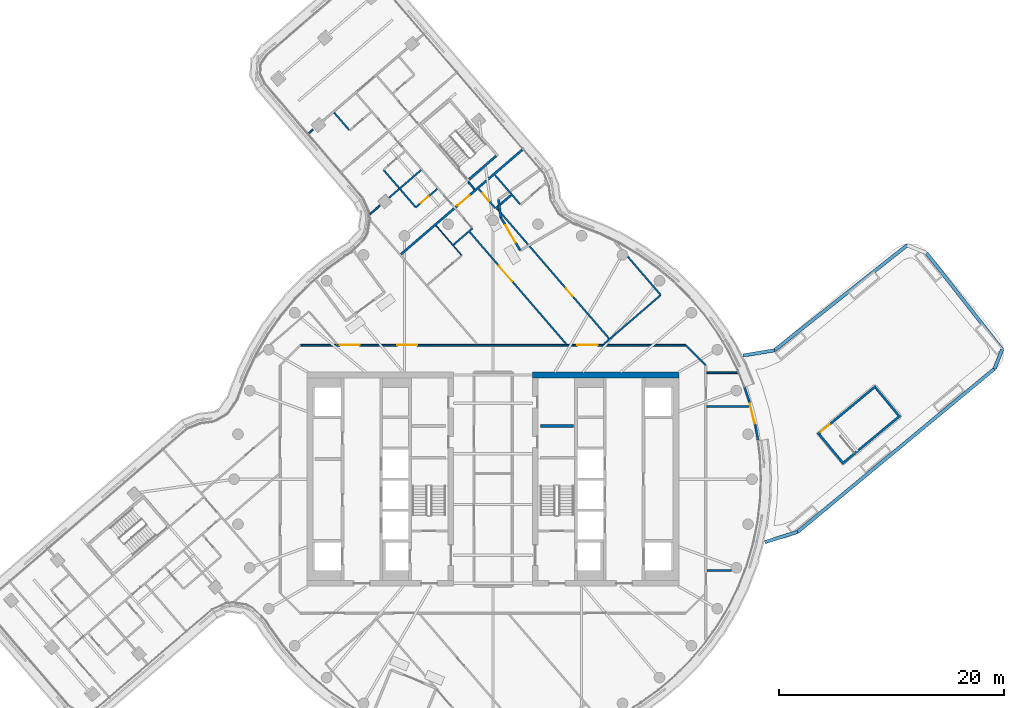
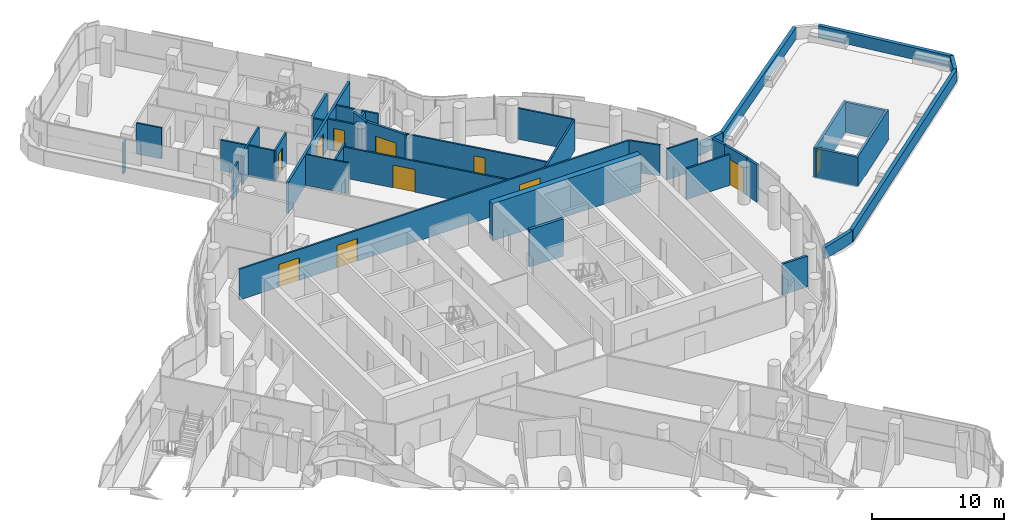
# One storey, part 25 of 34: 38 walls, 11 doors, 11 openings.
"""IFC4 building model written with IfcOpenShell, lengths in metres."""

from ifc_helpers import new_model, si_unit, direction, frame, frame_2d, origin, place, context, subcontext, project, spatial, polyline, rectangle, outline, extrude, material, layer, layer_set, type_object, element, fill, save


model = new_model("IFC4")

# Units and contexts
model_context = context("Model", 3, precision=1e-05, world=origin(), true_north=direction((0.0, 1.0)))
body_context = subcontext(model_context, "Body", "Model", "MODEL_VIEW")
ifc_project = project(units=[si_unit("LENGTHUNIT", "METRE"), si_unit("AREAUNIT", "SQUARE_METRE"), si_unit("VOLUMEUNIT", "CUBIC_METRE"), si_unit("PLANEANGLEUNIT", "RADIAN"), si_unit("MASSUNIT", "GRAM", prefix="KILO")], contexts=[model_context])

# Site, building, storey
site_placement = place(None, origin())
site = spatial("IfcSite", under=ifc_project, at=site_placement, CompositionType="ELEMENT")
building_placement = place(site_placement, origin())
building = spatial("IfcBuilding", under=site, at=building_placement, Name="Tamarind Cross Interchange Tower", CompositionType="ELEMENT")
storey_placement = place(building_placement, frame((0.0, 0.0, 182.5)))
storey = spatial("IfcBuildingStorey", under=building, at=storey_placement, Name="L45", CompositionType="ELEMENT", Elevation=182.5)

# Walls
ifc_material_1 = material(Name="Concrete C40", Category="concrete")
ifc_layer_1 = layer(ifc_material_1, 0.199951171875)
ifc_layer_set_1 = layer_set([ifc_layer_1], Name="Concrete C40")
wall_type_1 = type_object("IfcWallType", Name="Balcony and garden door wall", PredefinedType="SOLIDWALL", material=ifc_layer_set_1)
wall_1_placement = place(storey_placement, frame((23.531005859375, 3.421630859375, 0.0), z_axis=(0.0, 0.0, 1.0), x_axis=(-0.170545064633, 0.985349877419, 0.0)))
element("IfcWall", 1, at=wall_1_placement, inside=storey, type_object=wall_type_1, Name="EXW-L45-10-D07L", PredefinedType="SOLIDWALL", context=body_context, shape_type="SweptSolid", body=[
    extrude(rectangle(XDim=1.25537109375, YDim=0.199951171875, at=frame_2d((0.627685546875, 0.0))), origin(), (0.0, 0.0, 1.0), 3.4599609375),
])
wall_2_placement = place(storey_placement, frame((22.72705078125, 6.983154296875, 0.0), z_axis=(0.0, 0.0, 1.0), x_axis=(-0.313251199711, 0.949670303779, 0.0)))
element("IfcWall", 2, at=wall_2_placement, inside=storey, type_object=wall_type_1, Name="EXW-L45-10-D07R", PredefinedType="SOLIDWALL", context=body_context, shape_type="SweptSolid", body=[
    extrude(rectangle(XDim=1.255615234375, YDim=0.199951171875, at=frame_2d((0.6279296875, 0.0))), origin(), (0.0, 0.0, 1.0), 3.4599609375),
])

# Wall, opening, door
wall_3_placement = place(storey_placement, frame((23.31689453125, 4.65869140625, 0.0), z_axis=(0.0, 0.0, 1.0), x_axis=(-0.245959533272, 0.969280097801, 0.0)))
wall_3 = element("IfcWall", 3, at=wall_3_placement, inside=storey, type_object=wall_type_1, Name="EXW-L45-10-D07", PredefinedType="SOLIDWALL", context=body_context, shape_type="SweptSolid", body=[
    extrude(rectangle(XDim=2.398193359375, YDim=0.199951171875, at=frame_2d((1.19921875, 0.0))), origin(), (0.0, 0.0, 1.0), 3.4599609375),
])
opening_1_placement = place(wall_3_placement, frame((0.299072265625, 0.0, 0.0)))
opening_1 = element("IfcOpeningElement", 4, at=opening_1_placement, cuts=wall_3, Name="Opening D5", PredefinedType="OPENING", context=body_context, shape_type="SweptSolid", body=[
    extrude(rectangle(XDim=1.800048828125, YDim=2.39990234375, at=frame_2d((0.89990234375, 1.199951171875))), frame((0.0, 0.10986328125, 0.0), z_axis=(0.0, -1.0, 0.0), x_axis=(1.0, 0.0, 0.0)), (0.0, 0.0, 1.0), 0.219970703125),
])
ifc_material_2 = material(Name="Aluminium and toughened glass", Category="aluminium")
door_type_1 = type_object("IfcDoorType", Name="Roof garden door", OperationType="DOUBLE_DOOR_SINGLE_SWING", PredefinedType="DOOR", material=ifc_material_2)
door_1_placement = place(opening_1_placement, origin())
door_1 = element("IfcDoor", 5, at=door_1_placement, inside=storey, type_object=door_type_1, Name="DOR-L45-10-07", OperationType="SINGLE_SWING_LEFT", OverallHeight=2.39990234375, OverallWidth=1.800048828125, PredefinedType="DOOR", context=body_context, shape_type="SweptSolid", body=[
    extrude(rectangle(XDim=1.800048828125, YDim=2.39990234375, at=frame_2d((0.89990234375, 1.199951171875))), frame((0.0, 0.02490234375, 0.0), z_axis=(0.0, -1.0, 0.0), x_axis=(1.0, 0.0, 0.0)), (0.0, 0.0, 1.0), 0.050048828125),
])
fill(opening_1, door_1)

wall_4_placement = place(storey_placement, frame((2.411376953125, 20.311279296875, 0.0), z_axis=(0.0, 0.0, 1.0), x_axis=(-0.504400373358, 0.863469897192, 0.0)))
wall_4 = element("IfcWall", 6, at=wall_4_placement, inside=storey, type_object=wall_type_1, Name="EXW-L45-WG-L45-SNb", PredefinedType="SOLIDWALL", context=body_context, shape_type="SweptSolid", body=[
    extrude(rectangle(XDim=3.411865234375, YDim=0.199951171875, at=frame_2d((1.7060546875, 0.0))), origin(), (0.0, 0.0, 1.0), 3.4599609375),
])
opening_2_placement = place(wall_4_placement, frame((0.805908203125, 0.0, 0.0)))
opening_2 = element("IfcOpeningElement", 7, at=opening_2_placement, cuts=wall_4, Name="Opening D5", PredefinedType="OPENING", context=body_context, shape_type="SweptSolid", body=[
    extrude(rectangle(XDim=1.800048828125, YDim=2.39990234375, at=frame_2d((0.89990234375, 1.199951171875))), frame((0.0, 0.10986328125, 0.0), z_axis=(0.0, -1.0, 0.0), x_axis=(1.0, 0.0, 0.0)), (0.0, 0.0, 1.0), 0.219970703125),
])
door_2_placement = place(opening_2_placement, origin())
door_2 = element("IfcDoor", 8, at=door_2_placement, inside=storey, type_object=door_type_1, Name="DOR-L45-WG-L45-SNb", OperationType="SINGLE_SWING_LEFT", OverallHeight=2.39990234375, OverallWidth=1.800048828125, PredefinedType="DOOR", context=body_context, shape_type="SweptSolid", body=[
    extrude(rectangle(XDim=1.800048828125, YDim=2.39990234375, at=frame_2d((0.89990234375, 1.199951171875))), frame((0.0, 0.02490234375, 0.0), z_axis=(0.0, -1.0, 0.0), x_axis=(1.0, 0.0, 0.0)), (0.0, 0.0, 1.0), 0.050048828125),
])
fill(opening_2, door_2)

# Walls
wall_5_placement = place(storey_placement, frame((0.6904296875, 23.257080078125, 0.0), z_axis=(0.0, 0.0, 1.0), x_axis=(-0.130395335876, 0.991462080153, 0.0)))
element("IfcWall", 9, at=wall_5_placement, inside=storey, type_object=wall_type_1, Name="EXW-L45-WG-L45-SNb-R1", PredefinedType="SOLIDWALL", context=body_context, shape_type="SweptSolid", body=[
    extrude(rectangle(XDim=1.600830078125, YDim=0.199951171875, at=frame_2d((0.80029296875, 0.0))), origin(), (0.0, 0.0, 1.0), 3.4599609375),
])
ifc_material_3 = material(Name="Concrete C55", Category="concrete")
ifc_layer_2 = layer(ifc_material_3, 0.5)
ifc_layer_set_2 = layer_set([ifc_layer_2], Name="Concrete C55")
wall_type_2 = type_object("IfcWallType", Name="Core wall 500 mm Concrete C55", PredefinedType="SHEAR", material=ifc_layer_set_2)
wall_6_placement = place(storey_placement, frame((16.5, 9.25, 0.0), z_axis=(0.0, 0.0, 1.0), x_axis=(-1.0, 0.0, 0.0)))
element("IfcWall", 10, at=wall_6_placement, inside=storey, type_object=wall_type_2, Name="Core wall CWL-L45-E-NE", PredefinedType="SHEAR", context=body_context, shape_type="SweptSolid", body=[
    extrude(rectangle(XDim=13.0, YDim=0.5, at=frame_2d((6.5, 0.0))), origin(), (0.0, 0.0, 1.0), 3.4599609375),
])
ifc_layer_3 = layer(ifc_material_1, 0.300048828125)
ifc_layer_set_3 = layer_set([ifc_layer_3], Name="Concrete C40")
wall_type_3 = type_object("IfcWallType", Name="Parapet upstand", PredefinedType="PARAPET", material=ifc_layer_set_3)
wall_7_placement = place(storey_placement, frame((24.137451171875, -5.58837890625, 0.0), z_axis=(0.0, 0.0, 1.0), x_axis=(0.954888189123, 0.29696556412, 0.0)))
element("IfcWall", 11, at=wall_7_placement, inside=storey, type_object=wall_type_3, Name="EXW-L45-PRTE0-00", PredefinedType="PARAPET", context=body_context, shape_type="SweptSolid", body=[
    extrude(rectangle(XDim=3.036865234375, YDim=0.300048828125, at=frame_2d((1.5185546875, 0.0))), origin(), (0.0, 0.0, 1.0), 1.10009765625),
])
wall_8_placement = place(storey_placement, frame((27.037353515625, -4.6865234375, 0.0), z_axis=(0.0, 0.0, 1.0), x_axis=(0.770117991644, 0.637901464919, 0.0)))
element("IfcWall", 12, at=wall_8_placement, inside=storey, type_object=wall_type_3, Name="EXW-L45-PRTE0-01", PredefinedType="PARAPET", context=body_context, shape_type="SweptSolid", body=[
    extrude(rectangle(XDim=22.706787109375, YDim=0.300048828125, at=frame_2d((11.353515625, 0.0))), origin(), (0.0, 0.0, 1.0), 1.10009765625),
])
wall_9_placement = place(storey_placement, frame((44.524169921875, 9.798095703125, 0.0), z_axis=(0.0, 0.0, 1.0), x_axis=(0.373667686539, 0.927562644804, 0.0)))
element("IfcWall", 13, at=wall_9_placement, inside=storey, type_object=wall_type_3, Name="EXW-L45-PRTE0-02", PredefinedType="PARAPET", context=body_context, shape_type="SweptSolid", body=[
    extrude(rectangle(XDim=1.84765625, YDim=0.300048828125, at=frame_2d((0.923828125, 0.0))), origin(), (0.0, 0.0, 1.0), 1.10009765625),
])
wall_10_placement = place(storey_placement, frame((45.214599609375, 11.511962890625, 0.0), z_axis=(0.0, 0.0, 1.0), x_axis=(-0.616916554823, 0.787028566435, 0.0)))
element("IfcWall", 14, at=wall_10_placement, inside=storey, type_object=wall_type_3, Name="EXW-L45-PRTE0-03", PredefinedType="PARAPET", context=body_context, shape_type="SweptSolid", body=[
    extrude(rectangle(XDim=10.89453125, YDim=0.300048828125, at=frame_2d((5.447265625, 0.0))), origin(), (0.0, 0.0, 1.0), 1.10009765625),
])
wall_11_placement = place(storey_placement, frame((36.77978515625, 20.776611328125, 0.0), z_axis=(0.0, 0.0, 1.0), x_axis=(-0.783927876093, -0.620851902698, 0.0)))
element("IfcWall", 15, at=wall_11_placement, inside=storey, type_object=wall_type_3, Name="EXW-L45-PRTE0-05", PredefinedType="PARAPET", context=body_context, shape_type="SweptSolid", body=[
    extrude(rectangle(XDim=15.02783203125, YDim=0.300048828125, at=frame_2d((7.513916015625, 0.0))), origin(), (0.0, 0.0, 1.0), 1.10009765625),
])
wall_12_placement = place(storey_placement, frame((24.9990234375, 11.446533203125, 0.0), z_axis=(0.0, 0.0, 1.0), x_axis=(-0.986664892658, -0.162764829111, 0.0)))
element("IfcWall", 16, at=wall_12_placement, inside=storey, type_object=wall_type_3, Name="EXW-L45-PRTE0-06", PredefinedType="PARAPET", context=body_context, shape_type="SweptSolid", body=[
    extrude(rectangle(XDim=2.8349609375, YDim=0.300048828125, at=frame_2d((1.41748046875, 0.0))), origin(), (0.0, 0.0, 1.0), 1.10009765625),
])
ifc_material_4 = material(Name="Gypsum board partition on steel studs", Category="steel")
ifc_layer_4 = layer(ifc_material_4, 0.10009765625)
ifc_layer_set_4 = layer_set([ifc_layer_4], Name="Gypsum board partition on steel studs")
wall_type_4 = type_object("IfcWallType", Name="Partition 100 mm EI 90", PredefinedType="PARTITIONING", material=ifc_layer_set_4)
wall_13_placement = place(storey_placement, frame((-5.066650390625, 22.518310546875, 0.0), z_axis=(0.0, 0.0, 1.0), x_axis=(0.652759016161, -0.757565618821, 0.0)))
element("IfcWall", 17, at=wall_13_placement, inside=storey, type_object=wall_type_4, Name="Partition L45-027", PredefinedType="PARTITIONING", context=body_context, shape_type="SweptSolid", body=[
    extrude(rectangle(XDim=3.449951171875, YDim=0.10009765625, at=frame_2d((1.72509765625, 0.0))), origin(), (0.0, 0.0, 1.0), 2.864013671875),
])
ifc_layer_5 = layer(ifc_material_4, 0.14990234375)
ifc_layer_set_5 = layer_set([ifc_layer_5], Name="Gypsum board partition on steel studs")
wall_type_5 = type_object("IfcWallType", Name="Partition 150 mm EI 120", PredefinedType="PARTITIONING", material=ifc_layer_set_5)
wall_14_placement = place(storey_placement, frame((-14.118896484375, 32.5654296875, 0.0), z_axis=(0.0, 0.0, 1.0), x_axis=(0.652696376995, -0.757619587562, 0.0)))
element("IfcWall", 18, at=wall_14_placement, inside=storey, type_object=wall_type_5, Name="Partition L45-018", PredefinedType="PARTITIONING", context=body_context, shape_type="SweptSolid", body=[
    extrude(rectangle(XDim=2.04541015625, YDim=0.14990234375, at=frame_2d((1.022705078125, 0.0))), origin(), (0.0, 0.0, 1.0), 2.864013671875),
])
wall_15_placement = place(storey_placement, frame((-9.706298828125, 27.443115234375, 0.0), z_axis=(0.0, 0.0, 1.0), x_axis=(0.652665803923, -0.757645925475, 0.0)))
element("IfcWall", 19, at=wall_15_placement, inside=storey, type_object=wall_type_5, Name="Partition L45-019", PredefinedType="PARTITIONING", context=body_context, shape_type="SweptSolid", body=[
    extrude(rectangle(XDim=4.339599609375, YDim=0.14990234375, at=frame_2d((2.169921875, 0.0))), origin(), (0.0, 0.0, 1.0), 2.864013671875),
])
wall_16_placement = place(storey_placement, frame((-2.197998046875, 26.3896484375, 0.0), z_axis=(0.0, 0.0, 1.0), x_axis=(0.652726981175, -0.757593220697, 0.0)))
element("IfcWall", 20, at=wall_16_placement, inside=storey, type_object=wall_type_5, Name="Partition L45-023", PredefinedType="PARTITIONING", context=body_context, shape_type="SweptSolid", body=[
    extrude(rectangle(XDim=0.84033203125, YDim=0.14990234375, at=frame_2d((0.420166015625, 0.0))), origin(), (0.0, 0.0, 1.0), 2.864013671875),
])

# Wall, opening, door
wall_17_placement = place(storey_placement, frame((-2.07373046875, 21.955322265625, 0.0), z_axis=(0.0, 0.0, 1.0), x_axis=(0.652736603542, -0.757584930154, 0.0)))
wall_17 = element("IfcWall", 21, at=wall_17_placement, inside=storey, type_object=wall_type_5, Name="Partition L45-028", PredefinedType="PARTITIONING", context=body_context, shape_type="SweptSolid", body=[
    extrude(rectangle(XDim=13.1328125, YDim=0.14990234375, at=frame_2d((6.56640625, 0.0))), origin(), (0.0, 0.0, 1.0), 2.864013671875),
])
opening_3_placement = place(wall_17_placement, frame((3.969970703125, 0.0, 0.0)))
opening_3 = element("IfcOpeningElement", 22, at=opening_3_placement, cuts=wall_17, Name="Opening D16", PredefinedType="OPENING", context=body_context, shape_type="SweptSolid", body=[
    extrude(rectangle(XDim=1.800048828125, YDim=2.10009765625, at=frame_2d((0.89990234375, 1.050048828125))), frame((0.0, 0.0849609375, 0.0), z_axis=(0.0, -1.0, 0.0), x_axis=(1.0, 0.0, 0.0)), (0.0, 0.0, 1.0), 0.169921875),
])
ifc_material_5 = material(Name="Fire-resisting door set")
door_type_2 = type_object("IfcDoorType", Name="Interior door 1800 x 2100 FD60S", OperationType="DOUBLE_DOOR_SINGLE_SWING", PredefinedType="DOOR", material=ifc_material_5)
door_3_placement = place(opening_3_placement, frame((1.800048828125, 0.0, 0.0), z_axis=(0.0, 0.0, 1.0), x_axis=(-1.0, 0.0, 0.0)))
door_3 = element("IfcDoor", 23, at=door_3_placement, inside=storey, type_object=door_type_2, Name="Door D16", OperationType="DOUBLE_DOOR_SINGLE_SWING", OverallHeight=2.10009765625, OverallWidth=1.800048828125, PredefinedType="DOOR", context=body_context, shape_type="SweptSolid", body=[
    extrude(rectangle(XDim=1.800048828125, YDim=2.10009765625, at=frame_2d((0.89990234375, 1.050048828125))), frame((0.0, 0.02490234375, 0.0), z_axis=(0.0, -1.0, 0.0), x_axis=(1.0, 0.0, 0.0)), (0.0, 0.0, 1.0), 0.050048828125),
])
fill(opening_3, door_3)

wall_18_placement = place(storey_placement, frame((-1.265625, 25.76708984375, 0.0), z_axis=(0.0, 0.0, 1.0), x_axis=(0.652880885414, -0.757460592679, 0.0)))
wall_18 = element("IfcWall", 24, at=wall_18_placement, inside=storey, type_object=wall_type_5, Name="Partition L45-029", PredefinedType="PARTITIONING", context=body_context, shape_type="SweptSolid", body=[
    extrude(rectangle(XDim=2.22021484375, YDim=0.14990234375, at=frame_2d((1.110107421875, 0.0))), origin(), (0.0, 0.0, 1.0), 2.864013671875),
])
opening_4_placement = place(wall_18_placement, frame((0.47998046875, 0.0, 0.0)))
opening_4 = element("IfcOpeningElement", 25, at=opening_4_placement, cuts=wall_18, Name="Opening D17", PredefinedType="OPENING", context=body_context, shape_type="SweptSolid", body=[
    extrude(rectangle(XDim=0.89990234375, YDim=2.10009765625, at=frame_2d((0.449951171875, 1.050048828125))), frame((0.0, 0.0849609375, 0.0), z_axis=(0.0, -1.0, 0.0), x_axis=(1.0, 0.0, 0.0)), (0.0, 0.0, 1.0), 0.169921875),
])
door_type_3 = type_object("IfcDoorType", Name="Interior door 900 x 2100 FD60S", OperationType="SINGLE_SWING_LEFT", PredefinedType="DOOR", material=ifc_material_5)
door_4_placement = place(opening_4_placement, origin())
door_4 = element("IfcDoor", 26, at=door_4_placement, inside=storey, type_object=door_type_3, Name="Door D17", OperationType="SINGLE_SWING_RIGHT", OverallHeight=2.10009765625, OverallWidth=0.89990234375, PredefinedType="DOOR", context=body_context, shape_type="SweptSolid", body=[
    extrude(rectangle(XDim=0.89990234375, YDim=2.10009765625, at=frame_2d((0.449951171875, 1.050048828125))), frame((0.0, 0.02490234375, 0.0), z_axis=(0.0, -1.0, 0.0), x_axis=(1.0, 0.0, 0.0)), (0.0, 0.0, 1.0), 0.050048828125),
])
fill(opening_4, door_4)

# Wall
wall_19_placement = place(storey_placement, frame((0.17333984375, 27.007080078125, 0.0), z_axis=(0.0, 0.0, 1.0), x_axis=(0.652861605441, -0.757477210311, 0.0)))
element("IfcWall", 27, at=wall_19_placement, inside=storey, type_object=wall_type_5, Name="Partition L45-030", PredefinedType="PARTITIONING", context=body_context, shape_type="SweptSolid", body=[
    extrude(rectangle(XDim=3.40478515625, YDim=0.14990234375, at=frame_2d((1.702392578125, 0.0))), origin(), (0.0, 0.0, 1.0), 2.864013671875),
])

# Wall, opening, door
wall_20_placement = place(storey_placement, frame((0.376220703125, 24.01416015625, 0.0), z_axis=(0.0, 0.0, 1.0), x_axis=(0.652727037731, -0.75759317197, 0.0)))
wall_20 = element("IfcWall", 28, at=wall_20_placement, inside=storey, type_object=wall_type_5, Name="Partition L45-031", PredefinedType="PARTITIONING", context=body_context, shape_type="SweptSolid", body=[
    extrude(rectangle(XDim=15.2001953125, YDim=0.14990234375, at=frame_2d((7.60009765625, 0.0))), origin(), (0.0, 0.0, 1.0), 2.864013671875),
])
opening_5_placement = place(wall_20_placement, frame((9.330078125, 0.0, 0.0)))
opening_5 = element("IfcOpeningElement", 29, at=opening_5_placement, cuts=wall_20, Name="Opening D18", PredefinedType="OPENING", context=body_context, shape_type="SweptSolid", body=[
    extrude(rectangle(XDim=0.89990234375, YDim=2.10009765625, at=frame_2d((0.449951171875, 1.050048828125))), frame((0.0, 0.0849609375, 0.0), z_axis=(0.0, -1.0, 0.0), x_axis=(1.0, 0.0, 0.0)), (0.0, 0.0, 1.0), 0.169921875),
])
door_5_placement = place(opening_5_placement, origin())
door_5 = element("IfcDoor", 30, at=door_5_placement, inside=storey, type_object=door_type_3, Name="Door D18", OperationType="SINGLE_SWING_LEFT", OverallHeight=2.10009765625, OverallWidth=0.89990234375, PredefinedType="DOOR", context=body_context, shape_type="SweptSolid", body=[
    extrude(rectangle(XDim=0.89990234375, YDim=2.10009765625, at=frame_2d((0.449951171875, 1.050048828125))), frame((0.0, 0.02490234375, 0.0), z_axis=(0.0, -1.0, 0.0), x_axis=(1.0, 0.0, 0.0)), (0.0, 0.0, 1.0), 0.050048828125),
])
fill(opening_5, door_5)

# Walls
wall_21_placement = place(storey_placement, frame((11.947021484375, 19.777099609375, 0.0), z_axis=(0.0, 0.0, 1.0), x_axis=(0.652683992086, -0.757630257101, 0.0)))
element("IfcWall", 31, at=wall_21_placement, inside=storey, type_object=wall_type_5, Name="Partition L45-039", PredefinedType="PARTITIONING", context=body_context, shape_type="SweptSolid", body=[
    extrude(rectangle(XDim=4.478271484375, YDim=0.14990234375, at=frame_2d((2.2392578125, 0.0))), origin(), (0.0, 0.0, 1.0), 2.864013671875),
])
wall_22_placement = place(storey_placement, frame((17.12841796875, 11.87158203125, 0.0), z_axis=(0.0, 0.0, 1.0), x_axis=(0.707106781187, -0.707106781187, 0.0)))
element("IfcWall", 32, at=wall_22_placement, inside=storey, type_object=wall_type_5, Name="Partition L45-041", PredefinedType="PARTITIONING", context=body_context, shape_type="SweptSolid", body=[
    extrude(rectangle(XDim=2.455078125, YDim=0.14990234375, at=frame_2d((1.2275390625, 0.0))), origin(), (0.0, 0.0, 1.0), 2.864013671875),
])

# Wall, openings, doors
wall_23_placement = place(storey_placement, frame((-17.06494140625, 11.89990234375, 0.0), z_axis=(0.0, 0.0, 1.0), x_axis=(1.0, 0.0, 0.0)))
wall_23 = element("IfcWall", 33, at=wall_23_placement, inside=storey, type_object=wall_type_5, Name="Partition L45-043", PredefinedType="PARTITIONING", context=body_context, shape_type="SweptSolid", body=[
    extrude(rectangle(XDim=34.1650390625, YDim=0.14990234375, at=frame_2d((17.08251953125, 0.0))), origin(), (0.0, 0.0, 1.0), 2.864013671875),
])
opening_6_placement = place(wall_23_placement, frame((24.554931640625, 0.0, 0.0)))
opening_6 = element("IfcOpeningElement", 34, at=opening_6_placement, cuts=wall_23, Name="Opening D26", PredefinedType="OPENING", context=body_context, shape_type="SweptSolid", body=[
    extrude(rectangle(XDim=1.800048828125, YDim=2.10009765625, at=frame_2d((0.89990234375, 1.050048828125))), frame((0.0, 0.0849609375, 0.0), z_axis=(0.0, -1.0, 0.0), x_axis=(1.0, 0.0, 0.0)), (0.0, 0.0, 1.0), 0.169921875),
])
opening_7_placement = place(wall_23_placement, frame((8.5419921875, 0.0, 0.0)))
opening_7 = element("IfcOpeningElement", 35, at=opening_7_placement, cuts=wall_23, Name="Opening D27", PredefinedType="OPENING", context=body_context, shape_type="SweptSolid", body=[
    extrude(rectangle(XDim=1.800048828125, YDim=2.10009765625, at=frame_2d((0.89990234375, 1.050048828125))), frame((0.0, 0.0849609375, 0.0), z_axis=(0.0, -1.0, 0.0), x_axis=(1.0, 0.0, 0.0)), (0.0, 0.0, 1.0), 0.169921875),
])
opening_8_placement = place(wall_23_placement, frame((3.44189453125, 0.0, 0.0)))
opening_8 = element("IfcOpeningElement", 36, at=opening_8_placement, cuts=wall_23, Name="Opening D28", PredefinedType="OPENING", context=body_context, shape_type="SweptSolid", body=[
    extrude(rectangle(XDim=1.800048828125, YDim=2.10009765625, at=frame_2d((0.89990234375, 1.050048828125))), frame((0.0, 0.0849609375, 0.0), z_axis=(0.0, -1.0, 0.0), x_axis=(1.0, 0.0, 0.0)), (0.0, 0.0, 1.0), 0.169921875),
])
door_6_placement = place(opening_6_placement, frame((1.800048828125, 0.0, 0.0), z_axis=(0.0, 0.0, 1.0), x_axis=(-1.0, 0.0, 0.0)))
door_6 = element("IfcDoor", 37, at=door_6_placement, inside=storey, type_object=door_type_2, Name="Door D26", OperationType="DOUBLE_DOOR_SINGLE_SWING", OverallHeight=2.10009765625, OverallWidth=1.800048828125, PredefinedType="DOOR", context=body_context, shape_type="SweptSolid", body=[
    extrude(rectangle(XDim=1.800048828125, YDim=2.10009765625, at=frame_2d((0.89990234375, 1.050048828125))), frame((0.0, 0.02490234375, 0.0), z_axis=(0.0, -1.0, 0.0), x_axis=(1.0, 0.0, 0.0)), (0.0, 0.0, 1.0), 0.050048828125),
])
fill(opening_6, door_6)
door_7_placement = place(opening_7_placement, origin())
door_7 = element("IfcDoor", 38, at=door_7_placement, inside=storey, type_object=door_type_2, Name="Door D27", OperationType="DOUBLE_DOOR_SINGLE_SWING", OverallHeight=2.10009765625, OverallWidth=1.800048828125, PredefinedType="DOOR", context=body_context, shape_type="SweptSolid", body=[
    extrude(rectangle(XDim=1.800048828125, YDim=2.10009765625, at=frame_2d((0.89990234375, 1.050048828125))), frame((0.0, 0.02490234375, 0.0), z_axis=(0.0, -1.0, 0.0), x_axis=(1.0, 0.0, 0.0)), (0.0, 0.0, 1.0), 0.050048828125),
])
fill(opening_7, door_7)
door_8_placement = place(opening_8_placement, origin())
door_8 = element("IfcDoor", 39, at=door_8_placement, inside=storey, type_object=door_type_2, Name="Door D28", OperationType="DOUBLE_DOOR_SINGLE_SWING", OverallHeight=2.10009765625, OverallWidth=1.800048828125, PredefinedType="DOOR", context=body_context, shape_type="SweptSolid", body=[
    extrude(rectangle(XDim=1.800048828125, YDim=2.10009765625, at=frame_2d((0.89990234375, 1.050048828125))), frame((0.0, 0.02490234375, 0.0), z_axis=(0.0, -1.0, 0.0), x_axis=(1.0, 0.0, 0.0)), (0.0, 0.0, 1.0), 0.050048828125),
])
fill(opening_8, door_8)

# Walls
wall_24_placement = place(storey_placement, frame((18.985107421875, 9.4541015625, 0.0), z_axis=(0.0, 0.0, 1.0), x_axis=(1.0, 0.0, 0.0)))
element("IfcWall", 40, at=wall_24_placement, inside=storey, type_object=wall_type_5, Name="Partition L45-048", PredefinedType="PARTITIONING", context=body_context, shape_type="SweptSolid", body=[
    extrude(rectangle(XDim=2.735107421875, YDim=0.14990234375, at=frame_2d((1.36767578125, 0.0))), origin(), (0.0, 0.0, 1.0), 2.864013671875),
])
wall_25_placement = place(storey_placement, frame((18.985107421875, 6.4541015625, 0.0), z_axis=(0.0, 0.0, 1.0), x_axis=(1.0, 0.0, 0.0)))
element("IfcWall", 41, at=wall_25_placement, inside=storey, type_object=wall_type_5, Name="Partition L45-049", PredefinedType="PARTITIONING", context=body_context, shape_type="SweptSolid", body=[
    extrude(rectangle(XDim=3.79638671875, YDim=0.14990234375, at=frame_2d((1.898193359375, 0.0))), origin(), (0.0, 0.0, 1.0), 2.864013671875),
])
wall_26_placement = place(storey_placement, frame((-16.381103515625, 30.7216796875, 0.0), z_axis=(0.0, 0.0, 1.0), x_axis=(0.757409961601, 0.652939622069, 0.0)))
element("IfcWall", 42, at=wall_26_placement, inside=storey, type_object=wall_type_5, Name="Partition L45-061", PredefinedType="PARTITIONING", context=body_context, shape_type="SweptSolid", body=[
    extrude(rectangle(XDim=0.5234375, YDim=0.14990234375, at=frame_2d((0.26171875, 0.0))), origin(), (0.0, 0.0, 1.0), 2.864013671875),
])
wall_27_placement = place(storey_placement, frame((-10.903564453125, 23.561279296875, 0.0), z_axis=(0.0, 0.0, 1.0), x_axis=(0.757575802877, 0.652747196773, 0.0)))
element("IfcWall", 43, at=wall_27_placement, inside=storey, type_object=wall_type_5, Name="Partition L45-069", PredefinedType="PARTITIONING", context=body_context, shape_type="SweptSolid", body=[
    extrude(rectangle(XDim=1.129638671875, YDim=0.14990234375, at=frame_2d((0.56494140625, 0.0))), origin(), (0.0, 0.0, 1.0), 2.864013671875),
])
wall_28_placement = place(storey_placement, frame((-9.240478515625, 24.994140625, 0.0), z_axis=(0.0, 0.0, 1.0), x_axis=(0.757602279322, 0.652716467056, 0.0)))
element("IfcWall", 44, at=wall_28_placement, inside=storey, type_object=wall_type_5, Name="Partition L45-070", PredefinedType="PARTITIONING", context=body_context, shape_type="SweptSolid", body=[
    extrude(rectangle(XDim=3.76611328125, YDim=0.14990234375, at=frame_2d((1.883056640625, 0.0))), origin(), (0.0, 0.0, 1.0), 2.864013671875),
])

# Wall, opening, door
wall_29_placement = place(storey_placement, frame((-6.860107421875, 24.14111328125, 0.0), z_axis=(0.0, 0.0, 1.0), x_axis=(0.757495885979, 0.652839936528, 0.0)))
wall_29 = element("IfcWall", 45, at=wall_29_placement, inside=storey, type_object=wall_type_5, Name="Partition L45-073", PredefinedType="PARTITIONING", context=body_context, shape_type="SweptSolid", body=[
    extrude(rectangle(XDim=2.51953125, YDim=0.14990234375, at=frame_2d((1.259765625, 0.0))), origin(), (0.0, 0.0, 1.0), 2.864013671875),
])
opening_9_placement = place(wall_29_placement, frame((0.60009765625, 0.0, 0.0)))
opening_9 = element("IfcOpeningElement", 46, at=opening_9_placement, cuts=wall_29, Name="Opening D41", PredefinedType="OPENING", context=body_context, shape_type="SweptSolid", body=[
    extrude(rectangle(XDim=0.89990234375, YDim=2.10009765625, at=frame_2d((0.449951171875, 1.050048828125))), frame((0.0, 0.0849609375, 0.0), z_axis=(0.0, -1.0, 0.0), x_axis=(1.0, 0.0, 0.0)), (0.0, 0.0, 1.0), 0.169921875),
])
door_9_placement = place(opening_9_placement, origin())
door_9 = element("IfcDoor", 47, at=door_9_placement, inside=storey, type_object=door_type_3, Name="Door D41", OperationType="SINGLE_SWING_RIGHT", OverallHeight=2.10009765625, OverallWidth=0.89990234375, PredefinedType="DOOR", context=body_context, shape_type="SweptSolid", body=[
    extrude(rectangle(XDim=0.89990234375, YDim=2.10009765625, at=frame_2d((0.449951171875, 1.050048828125))), frame((0.0, 0.02490234375, 0.0), z_axis=(0.0, -1.0, 0.0), x_axis=(1.0, 0.0, 0.0)), (0.0, 0.0, 1.0), 0.050048828125),
])
fill(opening_9, door_9)

# Walls
wall_30_placement = place(storey_placement, frame((-3.51953125, 20.815185546875, 0.0), z_axis=(0.0, 0.0, 1.0), x_axis=(0.757545656349, 0.65278218308, 0.0)))
element("IfcWall", 48, at=wall_30_placement, inside=storey, type_object=wall_type_5, Name="Partition L45-076", PredefinedType="PARTITIONING", context=body_context, shape_type="SweptSolid", body=[
    extrude(rectangle(XDim=2.239501953125, YDim=0.14990234375, at=frame_2d((1.11962890625, 0.0))), origin(), (0.0, 0.0, 1.0), 2.864013671875),
])
wall_31_placement = place(storey_placement, frame((9.8583984375, 12.014404296875, 0.0), z_axis=(0.0, 0.0, 1.0), x_axis=(0.757389923931, 0.652962865044, 0.0)))
element("IfcWall", 49, at=wall_31_placement, inside=storey, type_object=wall_type_5, Name="Partition L45-087", PredefinedType="PARTITIONING", context=body_context, shape_type="SweptSolid", body=[
    extrude(rectangle(XDim=6.64892578125, YDim=0.14990234375, at=frame_2d((3.324462890625, 0.0))), origin(), (0.0, 0.0, 1.0), 2.864013671875),
])
ifc_layer_6 = layer(ifc_material_4, 0.199951171875)
ifc_layer_set_6 = layer_set([ifc_layer_6], Name="Gypsum board partition on steel studs")
wall_type_6 = type_object("IfcWallType", Name="Partition 200 mm EI 180", PredefinedType="PARTITIONING", material=ifc_layer_set_6)
wall_32_placement = place(storey_placement, frame((18.985107421875, -8.112060546875, 0.0), z_axis=(0.0, 0.0, 1.0), x_axis=(1.0, 0.0, 0.0)))
element("IfcWall", 50, at=wall_32_placement, inside=storey, type_object=wall_type_6, Name="Partition L45-047", PredefinedType="PARTITIONING", context=body_context, shape_type="SweptSolid", body=[
    extrude(rectangle(XDim=2.210693359375, YDim=0.199951171875, at=frame_2d((1.10546875, 0.0))), origin(), (0.0, 0.0, 1.0), 2.864013671875),
])

# Wall, opening, door
wall_33_placement = place(storey_placement, frame((-8.177490234375, 19.97021484375, 0.0), z_axis=(0.0, 0.0, 1.0), x_axis=(0.757604641141, 0.652713725704, 0.0)))
wall_33 = element("IfcWall", 51, at=wall_33_placement, inside=storey, type_object=wall_type_6, Name="Partition L45-072", PredefinedType="PARTITIONING", context=body_context, shape_type="SweptSolid", body=[
    extrude(rectangle(XDim=14.218994140625, YDim=0.199951171875, at=frame_2d((7.109375, 0.0))), origin(), (0.0, 0.0, 1.0), 2.864013671875),
])
opening_10_placement = place(wall_33_placement, frame((6.62060546875, 0.0, 0.0)))
opening_10 = element("IfcOpeningElement", 52, at=opening_10_placement, cuts=wall_33, Name="Opening D40", PredefinedType="OPENING", context=body_context, shape_type="SweptSolid", body=[
    extrude(rectangle(XDim=1.39990234375, YDim=2.10009765625, at=frame_2d((0.699951171875, 1.050048828125))), frame((0.0, 0.10986328125, 0.0), z_axis=(0.0, -1.0, 0.0), x_axis=(1.0, 0.0, 0.0)), (0.0, 0.0, 1.0), 0.219970703125),
])
door_type_4 = type_object("IfcDoorType", Name="Interior door 1400 x 2100 FD120S", OperationType="DOUBLE_DOOR_SINGLE_SWING", PredefinedType="DOOR", material=ifc_material_5)
door_10_placement = place(opening_10_placement, frame((1.39990234375, 0.0, 0.0), z_axis=(0.0, 0.0, 1.0), x_axis=(-1.0, 0.0, 0.0)))
door_10 = element("IfcDoor", 53, at=door_10_placement, inside=storey, type_object=door_type_4, Name="Door D40", OperationType="DOUBLE_DOOR_SINGLE_SWING", OverallHeight=2.10009765625, OverallWidth=1.39990234375, PredefinedType="DOOR", context=body_context, shape_type="SweptSolid", body=[
    extrude(rectangle(XDim=1.39990234375, YDim=2.10009765625, at=frame_2d((0.699951171875, 1.050048828125))), frame((0.0, 0.02490234375, 0.0), z_axis=(0.0, -1.0, 0.0), x_axis=(1.0, 0.0, 0.0)), (0.0, 0.0, 1.0), 0.050048828125),
])
fill(opening_10, door_10)

# Walls
wall_34_placement = place(storey_placement, frame((0.222900390625, 24.0400390625, 0.0), z_axis=(0.0, 0.0, 1.0), x_axis=(0.757558670656, 0.652767079834, 0.0)))
element("IfcWall", 54, at=wall_34_placement, inside=storey, type_object=wall_type_6, Name="Partition L45-077", PredefinedType="PARTITIONING", context=body_context, shape_type="SweptSolid", body=[
    extrude(rectangle(XDim=1.819580078125, YDim=0.199951171875, at=frame_2d((0.90966796875, 0.0))), origin(), (0.0, 0.0, 1.0), 2.864013671875),
])
ifc_layer_7 = layer(ifc_material_1, 0.25)
ifc_layer_set_7 = layer_set([ifc_layer_7], Name="Concrete C40")
wall_type_7 = type_object("IfcWallType", Name="Shaft and lobby wall 250 mm Concrete C40", PredefinedType="PARTITIONING", material=ifc_layer_set_7)
wall_35_placement = place(storey_placement, frame((7.14990234375, 4.719970703125, 0.0), z_axis=(0.0, 0.0, 1.0), x_axis=(-1.0, 0.0, 0.0)))
element("IfcWall", 55, at=wall_35_placement, inside=storey, type_object=wall_type_7, Name="Shaft wall CWL-L45-E-SVP", PredefinedType="PARTITIONING", context=body_context, shape_type="SweptSolid", body=[
    extrude(rectangle(XDim=2.949951171875, YDim=0.25, at=frame_2d((1.47509765625, 0.0))), origin(), (0.0, 0.0, 1.0), 3.4599609375),
])

# Wall, opening, door
ifc_layer_8 = layer(ifc_material_1, 0.199951171875)
ifc_layer_set_8 = layer_set([ifc_layer_8], Name="Concrete C40")
wall_type_8 = type_object("IfcWallType", Name="Stair shaft wall 200 mm Concrete C40", PredefinedType="SHEAR", material=ifc_layer_set_8)
wall_36_placement = place(storey_placement, frame((28.83154296875, 3.982421875, 0.0), z_axis=(0.0, 0.0, 1.0), x_axis=(0.769366970134, 0.638807064196, 0.0)))
wall_36 = element("IfcWall", 56, at=wall_36_placement, inside=storey, type_object=wall_type_8, Name="Core wall CWL-L45-ST3-HH", PredefinedType="SHEAR", context=body_context, shape_type="SweptSolid", body=[
    extrude(rectangle(XDim=6.699951171875, YDim=0.199951171875, at=frame_2d((3.35009765625, 0.0))), origin(), (0.0, 0.0, 1.0), 2.800048828125),
])
opening_11_placement = place(wall_36_placement, frame((0.35009765625, 0.0, 0.0)))
opening_11 = element("IfcOpeningElement", 57, at=opening_11_placement, cuts=wall_36, Name="Opening ST3R", PredefinedType="OPENING", context=body_context, shape_type="SweptSolid", body=[
    extrude(rectangle(XDim=1.0, YDim=2.10009765625, at=frame_2d((0.5, 1.050048828125))), frame((0.0, 0.10986328125, 0.0), z_axis=(0.0, -1.0, 0.0), x_axis=(1.0, 0.0, 0.0)), (0.0, 0.0, 1.0), 0.219970703125),
])
ifc_material_6 = material(Name="Steel, fire-resisting", Category="steel")
door_type_5 = type_object("IfcDoorType", Name="Core fire door 1000 x 2100 FD90", OperationType="SINGLE_SWING_LEFT", PredefinedType="DOOR", material=ifc_material_6)
door_11_placement = place(opening_11_placement, origin())
door_11 = element("IfcDoor", 58, at=door_11_placement, inside=storey, type_object=door_type_5, Name="L45 roof terrace door ST3", OperationType="SINGLE_SWING_LEFT", OverallHeight=2.10009765625, OverallWidth=1.0, PredefinedType="DOOR", context=body_context, shape_type="SweptSolid", body=[
    extrude(rectangle(XDim=1.0, YDim=2.10009765625, at=frame_2d((0.5, 1.050048828125))), frame((0.0, 0.02490234375, 0.0), z_axis=(0.0, -1.0, 0.0), x_axis=(1.0, 0.0, 0.0)), (0.0, 0.0, 1.0), 0.050048828125),
])
fill(opening_11, door_11)

# Walls
wall_37_placement = place(storey_placement, origin())
element("IfcWall", 59, at=wall_37_placement, inside=storey, type_object=wall_type_8, Name="Core wall CWL-L45-ST3-HC", PredefinedType="SHEAR", context=body_context, shape_type="SweptSolid", body=[
    extrude(outline(polyline([(31.0673828125, 1.289794921875), (36.22216796875, 5.569580078125), (34.05029296875, 8.185546875), (33.896484375, 8.0576171875), (35.9404296875, 5.595703125), (31.093505859375, 1.5712890625), (29.04931640625, 4.033203125), (28.8955078125, 3.905517578125), (31.0673828125, 1.289794921875)])), origin(), (0.0, 0.0, 1.0), 2.800048828125),
])
wall_38_placement = place(storey_placement, frame((0.28662109375, 28.714599609375, -0.139892578125), z_axis=(0.0, 0.0, 1.0), x_axis=(-0.757611592596, -0.652705657065, 0.0)))
element("IfcWall", 60, at=wall_38_placement, inside=storey, type_object=wall_type_8, Name="Core wall CWL-L45-ST4-CE", PredefinedType="SHEAR", context=body_context, shape_type="SweptSolid", body=[
    extrude(rectangle(XDim=3.199951171875, YDim=0.199951171875, at=frame_2d((1.60009765625, 0.0))), origin(), (0.0, 0.0, 1.0), 3.00390625),
])

save(model, "model.ifc")
